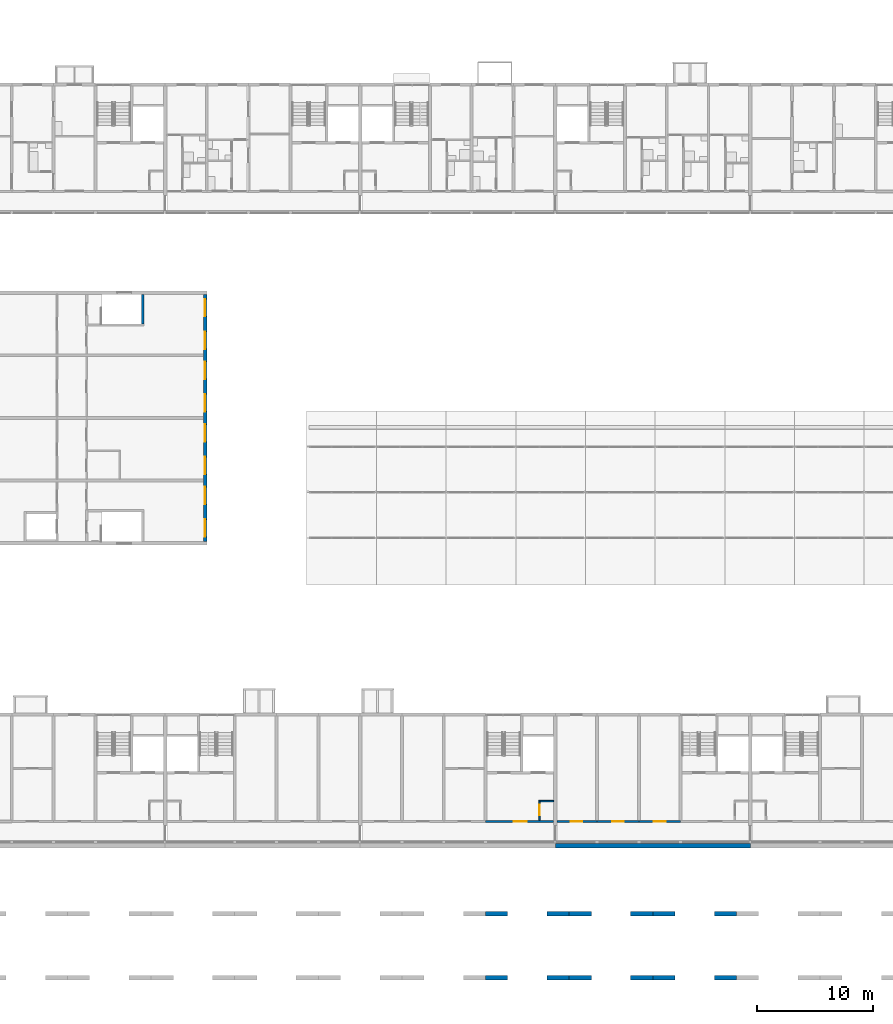
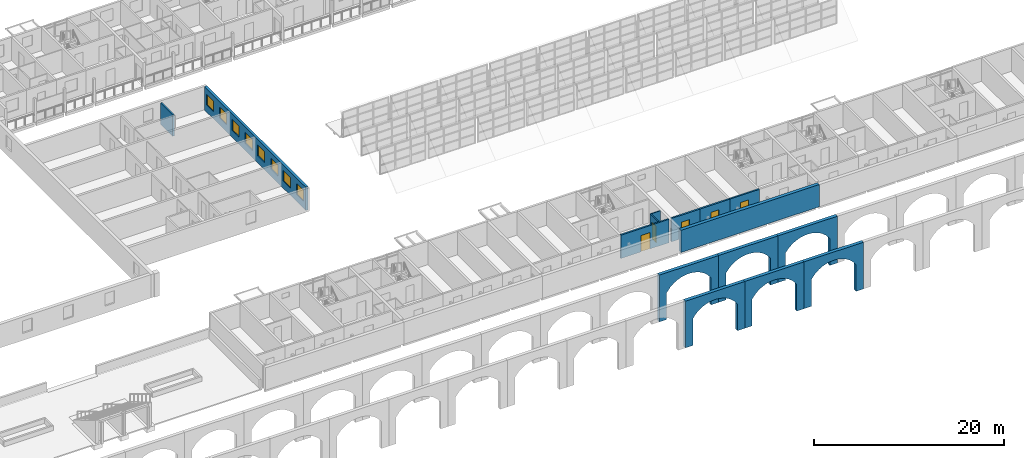
# One storey, part 71 of 122: 15 walls, 8 windows, 5 doors, 13 openings.
"""IFC4 building model written with IfcOpenShell, lengths in metres."""

from ifc_helpers import new_model, si_unit, direction, frame, frame_2d, origin, place, context, subcontext, project, spatial, polyline, rectangle, outline, extrude, material, layer, layer_set, type_object, element, fill, save


model = new_model("IFC4")

# Units and contexts
model_context = context("Model", 3, precision=1e-05, world=origin(), true_north=direction((0.0, 1.0)))
body_context = subcontext(model_context, "Body", "Model", "MODEL_VIEW")
ifc_project = project(units=[si_unit("LENGTHUNIT", "METRE"), si_unit("AREAUNIT", "SQUARE_METRE"), si_unit("VOLUMEUNIT", "CUBIC_METRE"), si_unit("PLANEANGLEUNIT", "RADIAN"), si_unit("MASSUNIT", "GRAM", prefix="KILO")], contexts=[model_context])

# Site, building, storey
site_placement = place(None, origin())
site = spatial("IfcSite", under=ifc_project, at=site_placement, CompositionType="ELEMENT")
building_placement = place(site_placement, origin())
building = spatial("IfcBuilding", under=site, at=building_placement, Name="Ridgestep Commons", CompositionType="ELEMENT")
storey_placement = place(building_placement, frame((0.0, 0.0, 3.0)))
storey = spatial("IfcBuildingStorey", under=building, at=storey_placement, Name="L01", CompositionType="ELEMENT", Elevation=3.0)

# Wall, openings, windows
ifc_material_1 = material(Name="Precast concrete C40/50", Category="concrete")
ifc_layer_1 = layer(ifc_material_1, 0.300048828125)
ifc_layer_set_1 = layer_set([ifc_layer_1], Name="Annex wall 300")
wall_type_1 = type_object("IfcWallType", Name="Annex wall 300", PredefinedType="SOLIDWALL", material=ifc_layer_set_1)
wall_1_placement = place(storey_placement, frame((167.050048828125, 37.75, 0.0), z_axis=(0.0, 0.0, 1.0), x_axis=(0.0, 1.0, 0.0)))
wall_1 = element("IfcWall", 1, at=wall_1_placement, inside=storey, type_object=wall_type_1, Name="Annex wall 300", PredefinedType="SOLIDWALL", context=body_context, shape_type="SweptSolid", body=[
    extrude(rectangle(XDim=21.300048828125, YDim=0.300048828125, at=frame_2d((10.64990234375, 0.0))), origin(), (0.0, 0.0, 1.0), 3.0),
])
opening_1_placement = place(wall_1_placement, frame((0.41259765625, 0.0, 0.89990234375)))
opening_1 = element("IfcOpeningElement", 2, at=opening_1_placement, cuts=wall_1, Name="Opening WK2", PredefinedType="OPENING", context=body_context, shape_type="SweptSolid", body=[
    extrude(rectangle(XDim=1.5, YDim=1.39990234375, at=frame_2d((0.75, 0.699951171875))), frame((0.0, 0.159912109375, 0.0), z_axis=(0.0, -1.0, 0.0), x_axis=(1.0, 0.0, 0.0)), (0.0, 0.0, 1.0), 0.320068359375),
])
opening_2_placement = place(wall_1_placement, frame((3.21240234375, 0.0, 0.89990234375)))
opening_2 = element("IfcOpeningElement", 3, at=opening_2_placement, cuts=wall_1, Name="Opening WK2", PredefinedType="OPENING", context=body_context, shape_type="SweptSolid", body=[
    extrude(rectangle(XDim=1.5, YDim=1.39990234375, at=frame_2d((0.75, 0.699951171875))), frame((0.0, 0.159912109375, 0.0), z_axis=(0.0, -1.0, 0.0), x_axis=(1.0, 0.0, 0.0)), (0.0, 0.0, 1.0), 0.320068359375),
])
opening_3_placement = place(wall_1_placement, frame((5.800048828125, 0.0, 0.89990234375)))
opening_3 = element("IfcOpeningElement", 4, at=opening_3_placement, cuts=wall_1, Name="Opening WK2", PredefinedType="OPENING", context=body_context, shape_type="SweptSolid", body=[
    extrude(rectangle(XDim=1.5, YDim=1.39990234375, at=frame_2d((0.75, 0.699951171875))), frame((0.0, 0.159912109375, 0.0), z_axis=(0.0, -1.0, 0.0), x_axis=(1.0, 0.0, 0.0)), (0.0, 0.0, 1.0), 0.320068359375),
])
opening_4_placement = place(wall_1_placement, frame((8.60009765625, 0.0, 0.89990234375)))
opening_4 = element("IfcOpeningElement", 5, at=opening_4_placement, cuts=wall_1, Name="Opening WK2", PredefinedType="OPENING", context=body_context, shape_type="SweptSolid", body=[
    extrude(rectangle(XDim=1.5, YDim=1.39990234375, at=frame_2d((0.75, 0.699951171875))), frame((0.0, 0.159912109375, 0.0), z_axis=(0.0, -1.0, 0.0), x_axis=(1.0, 0.0, 0.0)), (0.0, 0.0, 1.0), 0.320068359375),
])
opening_5_placement = place(wall_1_placement, frame((11.199951171875, 0.0, 0.89990234375)))
opening_5 = element("IfcOpeningElement", 6, at=opening_5_placement, cuts=wall_1, Name="Opening WK2", PredefinedType="OPENING", context=body_context, shape_type="SweptSolid", body=[
    extrude(rectangle(XDim=1.5, YDim=1.39990234375, at=frame_2d((0.75, 0.699951171875))), frame((0.0, 0.159912109375, 0.0), z_axis=(0.0, -1.0, 0.0), x_axis=(1.0, 0.0, 0.0)), (0.0, 0.0, 1.0), 0.320068359375),
])
opening_6_placement = place(wall_1_placement, frame((14.0, 0.0, 0.89990234375)))
opening_6 = element("IfcOpeningElement", 7, at=opening_6_placement, cuts=wall_1, Name="Opening WK2", PredefinedType="OPENING", context=body_context, shape_type="SweptSolid", body=[
    extrude(rectangle(XDim=1.5, YDim=1.39990234375, at=frame_2d((0.75, 0.699951171875))), frame((0.0, 0.159912109375, 0.0), z_axis=(0.0, -1.0, 0.0), x_axis=(1.0, 0.0, 0.0)), (0.0, 0.0, 1.0), 0.320068359375),
])
opening_7_placement = place(wall_1_placement, frame((16.58740234375, 0.0, 0.89990234375)))
opening_7 = element("IfcOpeningElement", 8, at=opening_7_placement, cuts=wall_1, Name="Opening WK2", PredefinedType="OPENING", context=body_context, shape_type="SweptSolid", body=[
    extrude(rectangle(XDim=1.5, YDim=1.39990234375, at=frame_2d((0.75, 0.699951171875))), frame((0.0, 0.159912109375, 0.0), z_axis=(0.0, -1.0, 0.0), x_axis=(1.0, 0.0, 0.0)), (0.0, 0.0, 1.0), 0.320068359375),
])
opening_8_placement = place(wall_1_placement, frame((19.387451171875, 0.0, 0.89990234375)))
opening_8 = element("IfcOpeningElement", 9, at=opening_8_placement, cuts=wall_1, Name="Opening WK2", PredefinedType="OPENING", context=body_context, shape_type="SweptSolid", body=[
    extrude(rectangle(XDim=1.5, YDim=1.39990234375, at=frame_2d((0.75, 0.699951171875))), frame((0.0, 0.159912109375, 0.0), z_axis=(0.0, -1.0, 0.0), x_axis=(1.0, 0.0, 0.0)), (0.0, 0.0, 1.0), 0.320068359375),
])
ifc_material_2 = material(Name="Aluminium and glass", Category="aluminium")
window_type = type_object("IfcWindowType", Name="Community window 1500 x 1400", PartitioningType="DOUBLE_PANEL_HORIZONTAL", PredefinedType="WINDOW", material=ifc_material_2)
window_1_placement = place(opening_1_placement, origin())
window_1 = element("IfcWindow", 10, at=window_1_placement, inside=storey, type_object=window_type, Name="Community window 1500 x 1400", OverallHeight=1.39990234375, OverallWidth=1.5, PartitioningType="SINGLE_PANEL", PredefinedType="WINDOW", context=body_context, shape_type="SweptSolid", body=[
    extrude(rectangle(XDim=1.5, YDim=1.39990234375, at=frame_2d((0.75, 0.699951171875))), frame((0.0, 0.030029296875, 0.0), z_axis=(0.0, -1.0, 0.0), x_axis=(1.0, 0.0, 0.0)), (0.0, 0.0, 1.0), 0.06005859375),
])
fill(opening_1, window_1)
window_2_placement = place(opening_2_placement, origin())
window_2 = element("IfcWindow", 11, at=window_2_placement, inside=storey, type_object=window_type, Name="Community window 1500 x 1400", OverallHeight=1.39990234375, OverallWidth=1.5, PartitioningType="SINGLE_PANEL", PredefinedType="WINDOW", context=body_context, shape_type="SweptSolid", body=[
    extrude(rectangle(XDim=1.5, YDim=1.39990234375, at=frame_2d((0.75, 0.699951171875))), frame((0.0, 0.030029296875, 0.0), z_axis=(0.0, -1.0, 0.0), x_axis=(1.0, 0.0, 0.0)), (0.0, 0.0, 1.0), 0.06005859375),
])
fill(opening_2, window_2)
window_3_placement = place(opening_3_placement, origin())
window_3 = element("IfcWindow", 12, at=window_3_placement, inside=storey, type_object=window_type, Name="Community window 1500 x 1400", OverallHeight=1.39990234375, OverallWidth=1.5, PartitioningType="SINGLE_PANEL", PredefinedType="WINDOW", context=body_context, shape_type="SweptSolid", body=[
    extrude(rectangle(XDim=1.5, YDim=1.39990234375, at=frame_2d((0.75, 0.699951171875))), frame((0.0, 0.030029296875, 0.0), z_axis=(0.0, -1.0, 0.0), x_axis=(1.0, 0.0, 0.0)), (0.0, 0.0, 1.0), 0.06005859375),
])
fill(opening_3, window_3)
window_4_placement = place(opening_4_placement, origin())
window_4 = element("IfcWindow", 13, at=window_4_placement, inside=storey, type_object=window_type, Name="Community window 1500 x 1400", OverallHeight=1.39990234375, OverallWidth=1.5, PartitioningType="SINGLE_PANEL", PredefinedType="WINDOW", context=body_context, shape_type="SweptSolid", body=[
    extrude(rectangle(XDim=1.5, YDim=1.39990234375, at=frame_2d((0.75, 0.699951171875))), frame((0.0, 0.030029296875, 0.0), z_axis=(0.0, -1.0, 0.0), x_axis=(1.0, 0.0, 0.0)), (0.0, 0.0, 1.0), 0.06005859375),
])
fill(opening_4, window_4)
window_5_placement = place(opening_5_placement, origin())
window_5 = element("IfcWindow", 14, at=window_5_placement, inside=storey, type_object=window_type, Name="Community window 1500 x 1400", OverallHeight=1.39990234375, OverallWidth=1.5, PartitioningType="SINGLE_PANEL", PredefinedType="WINDOW", context=body_context, shape_type="SweptSolid", body=[
    extrude(rectangle(XDim=1.5, YDim=1.39990234375, at=frame_2d((0.75, 0.699951171875))), frame((0.0, 0.030029296875, 0.0), z_axis=(0.0, -1.0, 0.0), x_axis=(1.0, 0.0, 0.0)), (0.0, 0.0, 1.0), 0.06005859375),
])
fill(opening_5, window_5)
window_6_placement = place(opening_6_placement, origin())
window_6 = element("IfcWindow", 15, at=window_6_placement, inside=storey, type_object=window_type, Name="Community window 1500 x 1400", OverallHeight=1.39990234375, OverallWidth=1.5, PartitioningType="SINGLE_PANEL", PredefinedType="WINDOW", context=body_context, shape_type="SweptSolid", body=[
    extrude(rectangle(XDim=1.5, YDim=1.39990234375, at=frame_2d((0.75, 0.699951171875))), frame((0.0, 0.030029296875, 0.0), z_axis=(0.0, -1.0, 0.0), x_axis=(1.0, 0.0, 0.0)), (0.0, 0.0, 1.0), 0.06005859375),
])
fill(opening_6, window_6)
window_7_placement = place(opening_7_placement, origin())
window_7 = element("IfcWindow", 16, at=window_7_placement, inside=storey, type_object=window_type, Name="Community window 1500 x 1400", OverallHeight=1.39990234375, OverallWidth=1.5, PartitioningType="SINGLE_PANEL", PredefinedType="WINDOW", context=body_context, shape_type="SweptSolid", body=[
    extrude(rectangle(XDim=1.5, YDim=1.39990234375, at=frame_2d((0.75, 0.699951171875))), frame((0.0, 0.030029296875, 0.0), z_axis=(0.0, -1.0, 0.0), x_axis=(1.0, 0.0, 0.0)), (0.0, 0.0, 1.0), 0.06005859375),
])
fill(opening_7, window_7)
window_8_placement = place(opening_8_placement, origin())
window_8 = element("IfcWindow", 17, at=window_8_placement, inside=storey, type_object=window_type, Name="Community window 1500 x 1400", OverallHeight=1.39990234375, OverallWidth=1.5, PartitioningType="SINGLE_PANEL", PredefinedType="WINDOW", context=body_context, shape_type="SweptSolid", body=[
    extrude(rectangle(XDim=1.5, YDim=1.39990234375, at=frame_2d((0.75, 0.699951171875))), frame((0.0, 0.030029296875, 0.0), z_axis=(0.0, -1.0, 0.0), x_axis=(1.0, 0.0, 0.0)), (0.0, 0.0, 1.0), 0.06005859375),
])
fill(opening_8, window_8)

# Walls
ifc_material_3 = material(Name="Precast concrete C40/50", Category="concrete")
ifc_layer_2 = layer(ifc_material_3, 0.39990234375)
ifc_layer_set_2 = layer_set([ifc_layer_2], Name="Community south arcade inner wall 400")
wall_type_2 = type_object("IfcWallType", Name="Community south arcade inner wall 400", PredefinedType="SOLIDWALL", material=ifc_layer_set_2)
wall_2_placement = place(storey_placement, frame((191.199951171875, 5.5, -3.25), z_axis=(0.0, -1.0, 0.0), x_axis=(1.0, 0.0, 0.0)))
element("IfcWall", 18, at=wall_2_placement, inside=storey, type_object=wall_type_2, Name="South arcade inner wall", PredefinedType="SOLIDWALL", context=body_context, shape_type="SweptSolid", body=[
    extrude(outline(polyline([(0.0, 0.0), (0.900146484375, 0.0), (0.900146484375, 3.449951171875), (1.35009765625, 4.01708984375), (1.800048828125, 4.3916015625), (2.25, 4.649169921875), (2.699951171875, 4.820068359375), (3.150146484375, 4.91796875), (3.60009765625, 4.949951171875), (4.050048828125, 4.91796875), (4.5, 4.820068359375), (4.949951171875, 4.649169921875), (5.400146484375, 4.3916015625), (5.85009765625, 4.01708984375), (6.300048828125, 3.449951171875), (6.300048828125, 0.0), (7.199951171875, 0.0), (7.199951171875, 6.0), (0.0, 6.0), (0.0, 0.0)])), origin(), (0.0, 0.0, -1.0), 0.39990234375),
])
wall_3_placement = place(storey_placement, frame((198.39990234375, 5.5, -3.25), z_axis=(0.0, -1.0, 0.0), x_axis=(1.0, 0.0, 0.0)))
element("IfcWall", 19, at=wall_3_placement, inside=storey, type_object=wall_type_2, Name="South arcade inner wall", PredefinedType="SOLIDWALL", context=body_context, shape_type="SweptSolid", body=[
    extrude(outline(polyline([(0.0, 0.0), (0.900146484375, 0.0), (0.900146484375, 3.449951171875), (1.35009765625, 4.01708984375), (1.800048828125, 4.3916015625), (2.25, 4.649169921875), (2.7001953125, 4.820068359375), (3.150146484375, 4.91796875), (3.60009765625, 4.949951171875), (4.050048828125, 4.91796875), (4.5, 4.820068359375), (4.9501953125, 4.649169921875), (5.400146484375, 4.3916015625), (5.85009765625, 4.01708984375), (6.300048828125, 3.449951171875), (6.300048828125, 0.0), (7.2001953125, 0.0), (7.2001953125, 6.0), (0.0, 6.0), (0.0, 0.0)])), origin(), (0.0, 0.0, -1.0), 0.39990234375),
])
wall_4_placement = place(storey_placement, frame((205.60009765625, 5.5, -3.25), z_axis=(0.0, -1.0, 0.0), x_axis=(1.0, 0.0, 0.0)))
element("IfcWall", 20, at=wall_4_placement, inside=storey, type_object=wall_type_2, Name="South arcade inner wall", PredefinedType="SOLIDWALL", context=body_context, shape_type="SweptSolid", body=[
    extrude(outline(polyline([(0.0, 0.0), (0.89990234375, 0.0), (0.89990234375, 3.449951171875), (1.349853515625, 4.01708984375), (1.7998046875, 4.3916015625), (2.25, 4.649169921875), (2.699951171875, 4.820068359375), (3.14990234375, 4.91796875), (3.599853515625, 4.949951171875), (4.0498046875, 4.91796875), (4.5, 4.820068359375), (4.949951171875, 4.649169921875), (5.39990234375, 4.3916015625), (5.849853515625, 4.01708984375), (6.2998046875, 3.449951171875), (6.2998046875, 0.0), (7.199951171875, 0.0), (7.199951171875, 6.0), (0.0, 6.0), (0.0, 0.0)])), origin(), (0.0, 0.0, -1.0), 0.39990234375),
])
ifc_material_4 = material(Name="Precast concrete C40/50", Category="concrete")
ifc_layer_3 = layer(ifc_material_4, 0.39990234375)
ifc_layer_set_3 = layer_set([ifc_layer_3], Name="Community south arcade wall 400")
wall_type_3 = type_object("IfcWallType", Name="Community south arcade wall 400", PredefinedType="SOLIDWALL", material=ifc_layer_set_3)
wall_5_placement = place(storey_placement, frame((191.199951171875, 0.001953125, -3.25), z_axis=(0.0, -1.0, 0.0), x_axis=(1.0, 0.0, 0.0)))
element("IfcWall", 21, at=wall_5_placement, inside=storey, type_object=wall_type_3, Name="South arcade wall", PredefinedType="SOLIDWALL", context=body_context, shape_type="SweptSolid", body=[
    extrude(outline(polyline([(0.0, 0.0), (0.900146484375, 0.0), (0.900146484375, 3.449951171875), (1.35009765625, 4.01708984375), (1.800048828125, 4.3916015625), (2.25, 4.649169921875), (2.699951171875, 4.820068359375), (3.150146484375, 4.91796875), (3.60009765625, 4.949951171875), (4.050048828125, 4.91796875), (4.5, 4.820068359375), (4.949951171875, 4.649169921875), (5.400146484375, 4.3916015625), (5.85009765625, 4.01708984375), (6.300048828125, 3.449951171875), (6.300048828125, 0.0), (7.199951171875, 0.0), (7.199951171875, 6.0), (0.0, 6.0), (0.0, 0.0)])), origin(), (0.0, 0.0, -1.0), 0.39990234375),
])
wall_6_placement = place(storey_placement, frame((198.39990234375, 0.001953125, -3.25), z_axis=(0.0, -1.0, 0.0), x_axis=(1.0, 0.0, 0.0)))
element("IfcWall", 22, at=wall_6_placement, inside=storey, type_object=wall_type_3, Name="South arcade wall", PredefinedType="SOLIDWALL", context=body_context, shape_type="SweptSolid", body=[
    extrude(outline(polyline([(0.0, 0.0), (0.900146484375, 0.0), (0.900146484375, 3.449951171875), (1.35009765625, 4.01708984375), (1.800048828125, 4.3916015625), (2.25, 4.649169921875), (2.7001953125, 4.820068359375), (3.150146484375, 4.91796875), (3.60009765625, 4.949951171875), (4.050048828125, 4.91796875), (4.5, 4.820068359375), (4.9501953125, 4.649169921875), (5.400146484375, 4.3916015625), (5.85009765625, 4.01708984375), (6.300048828125, 3.449951171875), (6.300048828125, 0.0), (7.2001953125, 0.0), (7.2001953125, 6.0), (0.0, 6.0), (0.0, 0.0)])), origin(), (0.0, 0.0, -1.0), 0.39990234375),
])
wall_7_placement = place(storey_placement, frame((205.60009765625, 0.001953125, -3.25), z_axis=(0.0, -1.0, 0.0), x_axis=(1.0, 0.0, 0.0)))
element("IfcWall", 23, at=wall_7_placement, inside=storey, type_object=wall_type_3, Name="South arcade wall", PredefinedType="SOLIDWALL", context=body_context, shape_type="SweptSolid", body=[
    extrude(outline(polyline([(0.0, 0.0), (0.89990234375, 0.0), (0.89990234375, 3.449951171875), (1.349853515625, 4.01708984375), (1.7998046875, 4.3916015625), (2.25, 4.649169921875), (2.699951171875, 4.820068359375), (3.14990234375, 4.91796875), (3.599853515625, 4.949951171875), (4.0498046875, 4.91796875), (4.5, 4.820068359375), (4.949951171875, 4.649169921875), (5.39990234375, 4.3916015625), (5.849853515625, 4.01708984375), (6.2998046875, 3.449951171875), (6.2998046875, 0.0), (7.199951171875, 0.0), (7.199951171875, 6.0), (0.0, 6.0), (0.0, 0.0)])), origin(), (0.0, 0.0, -1.0), 0.39990234375),
])
ifc_material_5 = material(Name="Concrete C30/37", Category="concrete")
ifc_layer_4 = layer(ifc_material_5, 0.199951171875)
ifc_layer_set_4 = layer_set([ifc_layer_4], Name="Community stair wall 200")
wall_type_4 = type_object("IfcWallType", Name="Community stair wall 200", PredefinedType="SOLIDWALL", material=ifc_layer_set_4)
wall_8_placement = place(storey_placement, frame((161.68994140625, 59.050048828125, 0.0), z_axis=(0.0, 0.0, 1.0), x_axis=(0.0, -1.0, 0.0)))
element("IfcWall", 24, at=wall_8_placement, inside=storey, type_object=wall_type_4, Name="Community stair wall 200", PredefinedType="SOLIDWALL", context=body_context, shape_type="SweptSolid", body=[
    extrude(rectangle(XDim=2.550048828125, YDim=0.199951171875, at=frame_2d((1.27490234375, 0.0))), origin(), (0.0, 0.0, 1.0), 2.75),
])

# Wall, opening, door
ifc_material_6 = material(Name="Concrete C30/37", Category="concrete")
ifc_layer_5 = layer(ifc_material_6, 0.199951171875)
ifc_layer_set_5 = layer_set([ifc_layer_5], Name="Core south wall 200")
wall_type_5 = type_object("IfcWallType", Name="Core south wall 200", PredefinedType="SHEAR", material=ifc_layer_set_5)
wall_9_placement = place(storey_placement, frame((191.199951171875, 13.64990234375, 0.0), z_axis=(0.0, 0.0, 1.0), x_axis=(1.0, 0.0, 0.0)))
wall_9 = element("IfcWall", 25, at=wall_9_placement, inside=storey, type_object=wall_type_5, Name="Core south wall D3C L01", PredefinedType="SHEAR", context=body_context, shape_type="SweptSolid", body=[
    extrude(rectangle(XDim=5.85009765625, YDim=0.199951171875, at=frame_2d((2.925048828125, 0.0))), origin(), (0.0, 0.0, 1.0), 3.0),
])
opening_9_placement = place(wall_9_placement, frame((2.4375, 0.0, 0.0)))
opening_9 = element("IfcOpeningElement", 26, at=opening_9_placement, cuts=wall_9, Name="Opening D3C/01/1", PredefinedType="OPENING", context=body_context, shape_type="SweptSolid", body=[
    extrude(rectangle(XDim=1.10009765625, YDim=2.10009765625, at=frame_2d((0.550048828125, 1.050048828125))), frame((0.0, 0.10986328125, 0.0), z_axis=(0.0, -1.0, 0.0), x_axis=(1.0, 0.0, 0.0)), (0.0, 0.0, 1.0), 0.219970703125),
])
ifc_material_7 = material(Name="Steel fire door", Category="steel")
door_type_1 = type_object("IfcDoorType", Name="Lobby door 1100 x 2100 FD60", OperationType="NOTDEFINED", PredefinedType="DOOR", material=ifc_material_7)
door_1_placement = place(opening_9_placement, origin())
door_1 = element("IfcDoor", 27, at=door_1_placement, inside=storey, type_object=door_type_1, Name="Lobby door D3C/01/1", OperationType="SINGLE_SWING_LEFT", OverallHeight=2.10009765625, OverallWidth=1.10009765625, PredefinedType="DOOR", context=body_context, shape_type="SweptSolid", body=[
    extrude(rectangle(XDim=1.10009765625, YDim=2.10009765625, at=frame_2d((0.550048828125, 1.050048828125))), frame((0.0, 0.02490234375, 0.0), z_axis=(0.0, -1.0, 0.0), x_axis=(1.0, 0.0, 0.0)), (0.0, 0.0, 1.0), 0.050048828125),
])
fill(opening_9, door_1)

ifc_material_8 = material(Name="Concrete C30/37", Category="concrete")
ifc_layer_6 = layer(ifc_material_8, 0.1201171875)
ifc_layer_set_6 = layer_set([ifc_layer_6], Name="Core wall 120")
wall_type_6 = type_object("IfcWallType", Name="Core wall 120", PredefinedType="SHEAR", material=ifc_layer_set_6)
wall_10_placement = place(storey_placement, frame((195.860107421875, 13.75, 0.0), z_axis=(0.0, 0.0, 1.0), x_axis=(0.0, 1.0, 0.0)))
wall_10 = element("IfcWall", 28, at=wall_10_placement, inside=storey, type_object=wall_type_6, Name="Core riser w wall D3C L01", PredefinedType="SHEAR", context=body_context, shape_type="SweptSolid", body=[
    extrude(rectangle(XDim=1.719970703125, YDim=0.1201171875, at=frame_2d((0.85986328125, 0.0))), origin(), (0.0, 0.0, 1.0), 3.0),
])
opening_10_placement = place(wall_10_placement, frame((0.449951171875, 0.0, 0.0)))
opening_10 = element("IfcOpeningElement", 29, at=opening_10_placement, cuts=wall_10, Name="Opening D3C/01/4", PredefinedType="OPENING", context=body_context, shape_type="SweptSolid", body=[
    extrude(rectangle(XDim=0.89990234375, YDim=2.10009765625, at=frame_2d((0.449951171875, 1.050048828125))), frame((0.0, 0.070068359375, 0.0), z_axis=(0.0, -1.0, 0.0), x_axis=(1.0, 0.0, 0.0)), (0.0, 0.0, 1.0), 0.14013671875),
])
ifc_material_9 = material(Name="Steel fire door", Category="steel")
door_type_2 = type_object("IfcDoorType", Name="Riser door 900 x 2100 FD60", OperationType="NOTDEFINED", PredefinedType="DOOR", material=ifc_material_9)
door_2_placement = place(opening_10_placement, origin())
door_2 = element("IfcDoor", 30, at=door_2_placement, inside=storey, type_object=door_type_2, Name="Riser door D3C/01/4", OperationType="SINGLE_SWING_LEFT", OverallHeight=2.10009765625, OverallWidth=0.89990234375, PredefinedType="DOOR", context=body_context, shape_type="SweptSolid", body=[
    extrude(rectangle(XDim=0.89990234375, YDim=2.10009765625, at=frame_2d((0.449951171875, 1.050048828125))), frame((0.0, 0.02490234375, 0.0), z_axis=(0.0, -1.0, 0.0), x_axis=(1.0, 0.0, 0.0)), (0.0, 0.0, 1.0), 0.050048828125),
])
fill(opening_10, door_2)

# Walls
wall_11_placement = place(storey_placement, frame((195.919921875, 15.409912109375, 0.0), z_axis=(0.0, 0.0, 1.0), x_axis=(1.0, 0.0, 0.0)))
element("IfcWall", 31, at=wall_11_placement, inside=storey, type_object=wall_type_6, Name="Core riser n wall D3C L01", PredefinedType="SHEAR", context=body_context, shape_type="SweptSolid", body=[
    extrude(rectangle(XDim=1.130126953125, YDim=0.1201171875, at=frame_2d((0.56494140625, 0.0))), origin(), (0.0, 0.0, 1.0), 3.0),
])
ifc_material_10 = material(Name="Concrete C30/37", Category="concrete")
ifc_layer_7 = layer(ifc_material_10, 0.39990234375)
ifc_layer_set_7 = layer_set([ifc_layer_7], Name="Plinth retaining wall 400")
wall_type_7 = type_object("IfcWallType", Name="Plinth retaining wall 400", PredefinedType="SOLIDWALL", material=ifc_layer_set_7)
wall_12_placement = place(storey_placement, frame((197.199951171875, 11.550048828125, 0.0), z_axis=(0.0, 0.0, 1.0), x_axis=(1.0, 0.0, 0.0)))
element("IfcWall", 32, at=wall_12_placement, inside=storey, type_object=wall_type_7, Name="Plinth retaining wall D4 L01", PredefinedType="SOLIDWALL", context=body_context, shape_type="SweptSolid", body=[
    extrude(rectangle(XDim=16.800048828125, YDim=0.39990234375, at=frame_2d((8.39990234375, 0.0))), origin(), (0.0, 0.0, 1.0), 2.85009765625),
])

# Wall, opening, door
ifc_material_11 = material(Name="Precast concrete C40/50", Category="concrete")
ifc_layer_8 = layer(ifc_material_11, 0.199951171875)
ifc_layer_set_8 = layer_set([ifc_layer_8], Name="South facade panel 200")
wall_type_8 = type_object("IfcWallType", Name="South facade panel 200", PredefinedType="SOLIDWALL", material=ifc_layer_set_8)
wall_13_placement = place(storey_placement, frame((197.35009765625, 13.64990234375, 0.0), z_axis=(0.0, 0.0, 1.0), x_axis=(1.0, 0.0, 0.0)))
wall_13 = element("IfcWall", 33, at=wall_13_placement, inside=storey, type_object=wall_type_8, Name="South panel D4T1 L01", PredefinedType="SOLIDWALL", context=body_context, shape_type="SweptSolid", body=[
    extrude(rectangle(XDim=3.449951171875, YDim=0.199951171875, at=frame_2d((1.72509765625, 0.0))), origin(), (0.0, 0.0, 1.0), 3.0),
])
opening_11_placement = place(wall_13_placement, frame((1.16259765625, 0.0, 0.0)))
opening_11 = element("IfcOpeningElement", 34, at=opening_11_placement, cuts=wall_13, Name="Opening D4-01p/1", PredefinedType="OPENING", context=body_context, shape_type="SweptSolid", body=[
    extrude(rectangle(XDim=1.0, YDim=2.10009765625, at=frame_2d((0.5, 1.050048828125))), frame((0.0, 0.10986328125, 0.0), z_axis=(0.0, -1.0, 0.0), x_axis=(1.0, 0.0, 0.0)), (0.0, 0.0, 1.0), 0.219970703125),
])
ifc_material_12 = material(Name="Steel door leaf", Category="steel")
door_type_3 = type_object("IfcDoorType", Name="Store door 1000 x 2100", OperationType="NOTDEFINED", PredefinedType="DOOR", material=ifc_material_12)
door_3_placement = place(opening_11_placement, origin())
door_3 = element("IfcDoor", 35, at=door_3_placement, inside=storey, type_object=door_type_3, Name="Store door D4-01p/1", OperationType="SINGLE_SWING_RIGHT", OverallHeight=2.10009765625, OverallWidth=1.0, PredefinedType="DOOR", context=body_context, shape_type="SweptSolid", body=[
    extrude(rectangle(XDim=1.0, YDim=2.10009765625, at=frame_2d((0.5, 1.050048828125))), frame((0.0, 0.02490234375, 0.0), z_axis=(0.0, -1.0, 0.0), x_axis=(1.0, 0.0, 0.0)), (0.0, 0.0, 1.0), 0.050048828125),
])
fill(opening_11, door_3)

wall_14_placement = place(storey_placement, frame((200.800048828125, 13.64990234375, 0.0), z_axis=(0.0, 0.0, 1.0), x_axis=(1.0, 0.0, 0.0)))
wall_14 = element("IfcWall", 36, at=wall_14_placement, inside=storey, type_object=wall_type_8, Name="South panel D4T2 L01", PredefinedType="SOLIDWALL", context=body_context, shape_type="SweptSolid", body=[
    extrude(rectangle(XDim=3.599853515625, YDim=0.199951171875, at=frame_2d((1.7998046875, 0.0))), origin(), (0.0, 0.0, 1.0), 3.0),
])
opening_12_placement = place(wall_14_placement, frame((1.300048828125, 0.0, 0.0)))
opening_12 = element("IfcOpeningElement", 37, at=opening_12_placement, cuts=wall_14, Name="Opening D4-01p/2", PredefinedType="OPENING", context=body_context, shape_type="SweptSolid", body=[
    extrude(rectangle(XDim=1.0, YDim=2.10009765625, at=frame_2d((0.5, 1.050048828125))), frame((0.0, 0.10986328125, 0.0), z_axis=(0.0, -1.0, 0.0), x_axis=(1.0, 0.0, 0.0)), (0.0, 0.0, 1.0), 0.219970703125),
])
door_4_placement = place(opening_12_placement, origin())
door_4 = element("IfcDoor", 38, at=door_4_placement, inside=storey, type_object=door_type_3, Name="Store door D4-01p/2", OperationType="SINGLE_SWING_RIGHT", OverallHeight=2.10009765625, OverallWidth=1.0, PredefinedType="DOOR", context=body_context, shape_type="SweptSolid", body=[
    extrude(rectangle(XDim=1.0, YDim=2.10009765625, at=frame_2d((0.5, 1.050048828125))), frame((0.0, 0.02490234375, 0.0), z_axis=(0.0, -1.0, 0.0), x_axis=(1.0, 0.0, 0.0)), (0.0, 0.0, 1.0), 0.050048828125),
])
fill(opening_12, door_4)

wall_15_placement = place(storey_placement, frame((204.39990234375, 13.64990234375, 0.0), z_axis=(0.0, 0.0, 1.0), x_axis=(1.0, 0.0, 0.0)))
wall_15 = element("IfcWall", 39, at=wall_15_placement, inside=storey, type_object=wall_type_8, Name="South panel D4T3 L01", PredefinedType="SOLIDWALL", context=body_context, shape_type="SweptSolid", body=[
    extrude(rectangle(XDim=3.60009765625, YDim=0.199951171875, at=frame_2d((1.800048828125, 0.0))), origin(), (0.0, 0.0, 1.0), 3.0),
])
opening_13_placement = place(wall_15_placement, frame((1.300048828125, 0.0, 0.0)))
opening_13 = element("IfcOpeningElement", 40, at=opening_13_placement, cuts=wall_15, Name="Opening D4-01p/3", PredefinedType="OPENING", context=body_context, shape_type="SweptSolid", body=[
    extrude(rectangle(XDim=1.0, YDim=2.10009765625, at=frame_2d((0.5, 1.050048828125))), frame((0.0, 0.10986328125, 0.0), z_axis=(0.0, -1.0, 0.0), x_axis=(1.0, 0.0, 0.0)), (0.0, 0.0, 1.0), 0.219970703125),
])
door_5_placement = place(opening_13_placement, origin())
door_5 = element("IfcDoor", 41, at=door_5_placement, inside=storey, type_object=door_type_3, Name="Store door D4-01p/3", OperationType="SINGLE_SWING_RIGHT", OverallHeight=2.10009765625, OverallWidth=1.0, PredefinedType="DOOR", context=body_context, shape_type="SweptSolid", body=[
    extrude(rectangle(XDim=1.0, YDim=2.10009765625, at=frame_2d((0.5, 1.050048828125))), frame((0.0, 0.02490234375, 0.0), z_axis=(0.0, -1.0, 0.0), x_axis=(1.0, 0.0, 0.0)), (0.0, 0.0, 1.0), 0.050048828125),
])
fill(opening_13, door_5)

save(model, "model.ifc")
